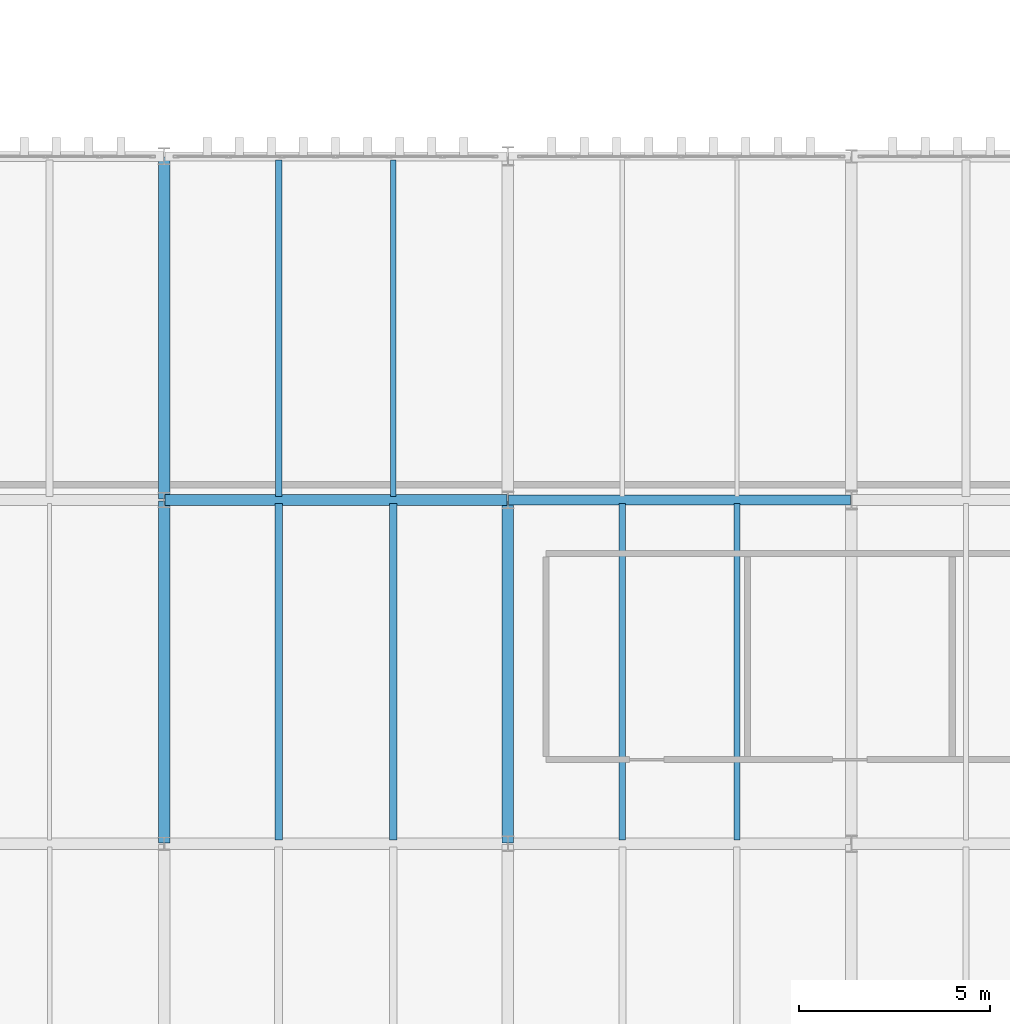
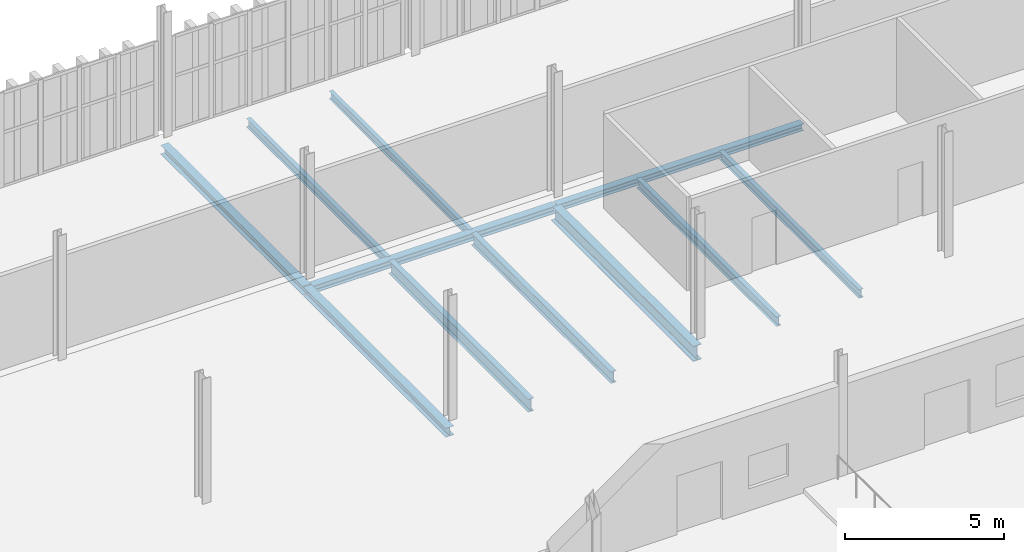
# One storey, part 116 of 196: 11 beams.
"""IFC4 building model written with IfcOpenShell, lengths in metres."""

import ifcopenshell
import ifcopenshell.guid

model = None  # the IFC model being written
_history = None  # IfcOwnerHistory: only IFC2X3 demands one
_inside = {}  # id of a spatial element -> (the spatial element, [elements in it])
_under = {}  # id of a project, library or spatial element -> (it, [spatial elements below it])
_declared = {}  # id of a project -> (the project, [libraries it declares])
_typed = {}  # id of a type object -> (the type object, [elements of that type])
_made_of = {}  # id of a material, layer set ... -> (it, [elements and type objects made of it])


def new_model(schema):
    """Start an empty IFC model of exactly this schema.

    Asked for "IFC4X3", IfcOpenShell would pick the latest addendum, in which some entities
    have other attributes; the version numbers below select the first issue.
    IFC2X3 requires an IfcOwnerHistory on every rooted entity: one is made here for all.
    """
    global model, _history
    if schema == "IFC4X3":
        model = ifcopenshell.file(schema_version=(4, 3, 0, 0))
    else:
        model = ifcopenshell.file(schema=schema)
    _inside.clear()
    _under.clear()
    _declared.clear()
    _typed.clear()
    _made_of.clear()
    _history = None
    if model.schema == "IFC2X3":
        org = make("IfcOrganization", Name="unknown")
        user = make(
            "IfcPersonAndOrganization",
            ThePerson=make("IfcPerson", FamilyName="unknown"),
            TheOrganization=org,
        )
        app = make(
            "IfcApplication",
            ApplicationDeveloper=org,
            Version="unknown",
            ApplicationFullName="unknown",
            ApplicationIdentifier="unknown",
        )
        _history = make(
            "IfcOwnerHistory",
            OwningUser=user,
            OwningApplication=app,
            ChangeAction="ADDED",
            CreationDate=0,
        )
    return model


def make(cls, **values):
    """One entity of the class cls with the attributes given. An attribute that is None is left unset."""
    return model.create_entity(
        cls, **{name: value for name, value in values.items() if value is not None}
    )


def rooted(cls, **values):
    """An entity with a GlobalId (a new one), such as an element, a storey or a relation."""
    return make(cls, GlobalId=ifcopenshell.guid.new(), OwnerHistory=_history, **values)


def si_unit(unit_type, name, prefix=None):
    """IfcSIUnit, for example si_unit("LENGTHUNIT", "METRE", prefix="MILLI")."""
    return make("IfcSIUnit", UnitType=unit_type, Prefix=prefix, Name=name)


def assignment(units):
    """IfcUnitAssignment: the units of a project."""
    return None if units is None else make("IfcUnitAssignment", Units=units)


def point(xyz):
    """IfcCartesianPoint."""
    return None if xyz is None else make("IfcCartesianPoint", Coordinates=xyz)


def direction(xyz):
    """IfcDirection."""
    return None if xyz is None else make("IfcDirection", DirectionRatios=xyz)


def frame(location, z_axis=None, x_axis=None):
    """IfcAxis2Placement3D, a coordinate frame: its origin and axes. An axis left out is left unset."""
    return make(
        "IfcAxis2Placement3D",
        Location=point(location),
        Axis=direction(z_axis),
        RefDirection=direction(x_axis),
    )


def frame_2d(location, x_axis=None):
    """IfcAxis2Placement2D, a coordinate frame in the plane: its origin and x axis."""
    return make(
        "IfcAxis2Placement2D", Location=point(location), RefDirection=direction(x_axis)
    )


def origin():
    """The frame at (0, 0, 0) with its axes left unset."""
    return frame((0.0, 0.0, 0.0))


def origin_2d():
    """The frame at (0, 0) in the plane with its x axis left unset."""
    return frame_2d((0.0, 0.0))


def place(relative_to, where):
    """IfcLocalPlacement: puts the frame where relative to a parent placement (None: the world)."""
    return make(
        "IfcLocalPlacement", PlacementRelTo=relative_to, RelativePlacement=where
    )


def context(
    kind, dimensions, precision=None, world=None, true_north=None, identifier=None
):
    """IfcGeometricRepresentationContext, for example the 3D "Model" context."""
    return make(
        "IfcGeometricRepresentationContext",
        ContextIdentifier=identifier,
        ContextType=kind,
        CoordinateSpaceDimension=dimensions,
        Precision=precision,
        WorldCoordinateSystem=world,
        TrueNorth=true_north,
    )


def subcontext(parent, identifier, kind, view, scale=None):
    """IfcGeometricRepresentationSubContext, for example "Body" below "Model"."""
    return make(
        "IfcGeometricRepresentationSubContext",
        ContextIdentifier=identifier,
        ContextType=kind,
        ParentContext=parent,
        TargetScale=scale,
        TargetView=view,
    )


def project(units=None, contexts=None):
    """IfcProject with its units and contexts."""
    return rooted(
        "IfcProject",
        Name="project",
        RepresentationContexts=contexts,
        UnitsInContext=assignment(units),
    )


def spatial(cls, under=None, at=None, **own):
    """A site, building, storey or space (cls), placed at a placement, below another one or the project."""
    s = rooted(cls, ObjectPlacement=at, **own)
    if under is not None:
        _under.setdefault(under.id(), (under, []))[1].append(s)
    return s


def profile(cls, at=None, kind="AREA", **sizes):
    """A parametric profile (cls). Its sizes go by their IFC names, for example OverallWidth=200.0."""
    return make(cls, ProfileType=kind, Position=at, **sizes)


def i_section(**sizes):
    """IfcIShapeProfileDef."""
    return profile("IfcIShapeProfileDef", **sizes)


def extrude(swept, where, along, depth):
    """IfcExtrudedAreaSolid: the profile swept, set in the frame where, extruded along a direction by depth."""
    return make(
        "IfcExtrudedAreaSolid",
        SweptArea=swept,
        Position=where,
        ExtrudedDirection=direction(along),
        Depth=depth,
    )


def shape(context_of_items, identifier, shape_type, items):
    """IfcShapeRepresentation: the items that make up one representation, for example the "Body"."""
    return make(
        "IfcShapeRepresentation",
        ContextOfItems=context_of_items,
        RepresentationIdentifier=identifier,
        RepresentationType=shape_type,
        Items=items,
    )


def material(Name=None, Category=None):
    """IfcMaterial."""
    return make("IfcMaterial", Name=Name, Category=Category)


def material_profile(
    of_material, cross_section, Name=None, Category=None, Priority=None
):
    """IfcMaterialProfile: a cross section and its material."""
    return make(
        "IfcMaterialProfile",
        Name=Name,
        Material=of_material,
        Profile=cross_section,
        Priority=Priority,
        Category=Category,
    )


def profile_set(profiles, Name=None, composite=None):
    """IfcMaterialProfileSet."""
    return make(
        "IfcMaterialProfileSet",
        Name=Name,
        MaterialProfiles=profiles,
        CompositeProfile=composite,
    )


def made_of(thing, what):
    """Note that an element or type object is made of a material, layer set ...; save() writes the relation."""
    if what is not None:
        _made_of.setdefault(what.id(), (what, []))[1].append(thing)
    return thing


def type_object(cls, material=None, **own):
    """A type object (cls), such as IfcWallType, which elements share."""
    return made_of(rooted(cls, **own), material)


def element(
    cls,
    number,
    at=None,
    inside=None,
    cuts=None,
    type_object=None,
    material=None,
    context=None,
    identifier="Body",
    shape_type=None,
    held_by="IfcProductDefinitionShape",
    body=None,
    shapes=None,
    **own,
):
    """One element of the class cls, such as IfcWall. Its Tag is "e" and its number.

    at: its placement. inside: the storey or other place that contains it. cuts: it is an
    opening in that element (IfcRelVoidsElement). A single representation is given by context,
    identifier, shape_type and body (its items); several are given by shapes. held_by: the class
    of the entity that holds the representations. save() writes the other relations.
    """
    e = rooted(cls, Tag="e%d" % number, ObjectPlacement=at, **own)
    if body is not None:
        shapes = [shape(context, identifier, shape_type, body)]
    if shapes is not None:
        e.Representation = make(held_by, Representations=shapes)
    if inside is not None:
        _inside.setdefault(inside.id(), (inside, []))[1].append(e)
    if cuts is not None:
        rooted(
            "IfcRelVoidsElement", RelatingBuildingElement=cuts, RelatedOpeningElement=e
        )
    if type_object is not None:
        _typed.setdefault(type_object.id(), (type_object, []))[1].append(e)
    return made_of(e, material)


def aggregate(whole, parts):
    """IfcRelAggregates: a whole, such as a stair, and the parts it consists of."""
    return rooted("IfcRelAggregates", RelatingObject=whole, RelatedObjects=parts)


def save(model, path):
    """Write the relations noted so far, then the file.

    IfcRelAggregates (storeys below a building ...), IfcRelContainedInSpatialStructure (elements
    in a storey), IfcRelDefinesByType, IfcRelAssociatesMaterial and IfcRelDeclares: one each for
    every whole, place, type object, material and project.
    """
    for whole, parts in _under.values():
        aggregate(whole, parts)
    for where, things in _inside.values():
        rooted(
            "IfcRelContainedInSpatialStructure",
            RelatedElements=things,
            RelatingStructure=where,
        )
    for kind, things in _typed.values():
        rooted("IfcRelDefinesByType", RelatedObjects=things, RelatingType=kind)
    for what, things in _made_of.values():
        rooted("IfcRelAssociatesMaterial", RelatedObjects=things, RelatingMaterial=what)
    for by, libraries in _declared.values():
        rooted("IfcRelDeclares", RelatingContext=by, RelatedDefinitions=libraries)
    model.write(path)


model = new_model("IFC4")

# Units and contexts
model_context = context("Model", 3, precision=1e-05, world=origin(), true_north=direction((0.0, 1.0)))
body_context = subcontext(model_context, "Body", "Model", "MODEL_VIEW")
ifc_project = project(units=[si_unit("LENGTHUNIT", "METRE"), si_unit("AREAUNIT", "SQUARE_METRE"), si_unit("VOLUMEUNIT", "CUBIC_METRE"), si_unit("PLANEANGLEUNIT", "RADIAN"), si_unit("MASSUNIT", "GRAM", prefix="KILO")], contexts=[model_context])

# Site, building, storey
site_placement = place(None, origin())
site = spatial("IfcSite", under=ifc_project, at=site_placement, CompositionType="ELEMENT")
building_placement = place(site_placement, origin())
building = spatial("IfcBuilding", under=site, at=building_placement, Name="Barlavento Convention Centre", CompositionType="ELEMENT")
storey_placement = place(building_placement, frame((0.0, 0.0, 18.0)))
storey = spatial("IfcBuildingStorey", under=building, at=storey_placement, Name="L03", CompositionType="ELEMENT", Elevation=18.0)

# Beams
ifc_material = material(Name="Steel S355", Category="steel")
ifc_material_profile_1 = material_profile(ifc_material, i_section(OverallWidth=0.14990234375, OverallDepth=0.300048828125, WebThickness=0.007080078125, FlangeThickness=0.0107421875, FilletRadius=0.014892578125, at=origin_2d()), Name="IPE 300")
ifc_profile_set_1 = profile_set([ifc_material_profile_1], Name="Steel S355")
beam_type_1 = type_object("IfcBeamType", Name="STR-BM-JST-IPE300", PredefinedType="JOIST", material=ifc_profile_set_1)
beam_1_placement = place(storey_placement, frame((150.0, 54.094970703125, -0.5400390625), z_axis=(0.0, 1.0, 0.0), x_axis=(-1.0, 0.0, 0.0)))
element("IfcBeam", 1, at=beam_1_placement, inside=storey, type_object=beam_type_1, Name="L03 composite floor joist SJ07", PredefinedType="JOIST", context=body_context, shape_type="SweptSolid", body=[
    extrude(i_section(OverallWidth=0.14990234375, OverallDepth=0.300048828125, WebThickness=0.007080078125, FlangeThickness=0.0107421875, FilletRadius=0.014892578125, at=origin_2d()), origin(), (0.0, 0.0, 1.0), 8.81005859375),
])
ifc_material_profile_2 = material_profile(ifc_material, i_section(OverallWidth=0.159912109375, OverallDepth=0.330078125, WebThickness=0.007568359375, FlangeThickness=0.011474609375, FilletRadius=0.01806640625, at=origin_2d()), Name="IPE 330")
ifc_profile_set_2 = profile_set([ifc_material_profile_2], Name="Steel S355")
beam_type_2 = type_object("IfcBeamType", Name="STR-BM-JST-IPE330", PredefinedType="JOIST", material=ifc_profile_set_2)
for number, where, z_axis, x_axis, name in (
    (2, (159.0, 45.094970703125, -0.554931640625), (0.0, 1.0, 0.0), (-1.0, 0.0, 0.0), "L03 composite floor joist SJ06"),
    (3, (147.0, 54.094970703125, -0.554931640625), (0.0, 1.0, 0.0), (-1.0, 0.0, 0.0), "L03 composite floor joist SJ06"),
):
    element("IfcBeam", number, at=place(storey_placement, frame(where, z_axis=z_axis, x_axis=x_axis)), inside=storey, type_object=beam_type_2, Name=name, PredefinedType="JOIST", context=body_context, shape_type="SweptSolid", body=[
        extrude(i_section(OverallWidth=0.159912109375, OverallDepth=0.330078125, WebThickness=0.007568359375, FlangeThickness=0.011474609375, FilletRadius=0.01806640625, at=origin_2d()), origin(), (0.0, 0.0, 1.0), 8.81005859375),
    ])
ifc_material_profile_3 = material_profile(ifc_material, i_section(OverallWidth=0.169921875, OverallDepth=0.360107421875, WebThickness=0.008056640625, FlangeThickness=0.0126953125, FilletRadius=0.01806640625, at=origin_2d()), Name="IPE 360")
ifc_profile_set_3 = profile_set([ifc_material_profile_3], Name="Steel S355")
beam_type_3 = type_object("IfcBeamType", Name="STR-BM-JST-IPE360", PredefinedType="JOIST", material=ifc_profile_set_3)
beam_2_placement = place(storey_placement, frame((156.0, 45.094970703125, -0.570068359375), z_axis=(0.0, 1.0, 0.0), x_axis=(-1.0, 0.0, 0.0)))
element("IfcBeam", 4, at=beam_2_placement, inside=storey, type_object=beam_type_3, Name="L03 composite floor joist SJ05", PredefinedType="JOIST", context=body_context, shape_type="SweptSolid", body=[
    extrude(i_section(OverallWidth=0.169921875, OverallDepth=0.360107421875, WebThickness=0.008056640625, FlangeThickness=0.0126953125, FilletRadius=0.01806640625, at=origin_2d()), origin(), (0.0, 0.0, 1.0), 8.81005859375),
])
ifc_material_profile_4 = material_profile(ifc_material, i_section(OverallWidth=0.18994140625, OverallDepth=0.449951171875, WebThickness=0.009521484375, FlangeThickness=0.0146484375, FilletRadius=0.02099609375, at=origin_2d()), Name="IPE 450")
ifc_profile_set_4 = profile_set([ifc_material_profile_4], Name="Steel S355")
beam_type_4 = type_object("IfcBeamType", Name="STR-BM-JST-IPE450", PredefinedType="JOIST", material=ifc_profile_set_4)
beam_3_placement = place(storey_placement, frame((150.0, 45.094970703125, -0.614990234375), z_axis=(0.0, 1.0, 0.0), x_axis=(-1.0, 0.0, 0.0)))
element("IfcBeam", 5, at=beam_3_placement, inside=storey, type_object=beam_type_4, Name="L03 composite floor joist SJ03", PredefinedType="JOIST", context=body_context, shape_type="SweptSolid", body=[
    extrude(i_section(OverallWidth=0.18994140625, OverallDepth=0.449951171875, WebThickness=0.009521484375, FlangeThickness=0.0146484375, FilletRadius=0.02099609375, at=origin_2d()), origin(), (0.0, 0.0, 1.0), 8.81005859375),
])
ifc_material_profile_5 = material_profile(ifc_material, i_section(OverallWidth=0.199951171875, OverallDepth=0.5, WebThickness=0.01025390625, FlangeThickness=0.01611328125, FilletRadius=0.02099609375, at=origin_2d()), Name="IPE 500")
ifc_profile_set_5 = profile_set([ifc_material_profile_5], Name="Steel S355")
beam_type_5 = type_object("IfcBeamType", Name="STR-BM-JST-IPE500", PredefinedType="JOIST", material=ifc_profile_set_5)
beam_4_placement = place(storey_placement, frame((147.0, 45.094970703125, -0.639892578125), z_axis=(0.0, 1.0, 0.0), x_axis=(-1.0, 0.0, 0.0)))
element("IfcBeam", 6, at=beam_4_placement, inside=storey, type_object=beam_type_5, Name="L03 composite floor joist SJ02", PredefinedType="JOIST", context=body_context, shape_type="SweptSolid", body=[
    extrude(i_section(OverallWidth=0.199951171875, OverallDepth=0.5, WebThickness=0.01025390625, FlangeThickness=0.01611328125, FilletRadius=0.02099609375, at=origin_2d()), origin(), (0.0, 0.0, 1.0), 8.81005859375),
])
ifc_material_profile_6 = material_profile(ifc_material, i_section(OverallWidth=0.300048828125, OverallDepth=0.35009765625, WebThickness=0.010009765625, FlangeThickness=0.017578125, FilletRadius=0.027099609375, at=origin_2d()), Name="HEA 360")
ifc_profile_set_6 = profile_set([ifc_material_profile_6], Name="Steel S355")
beam_type_6 = type_object("IfcBeamType", Name="STR-BM-PRI-HEA360", PredefinedType="BEAM", material=ifc_profile_set_6)
for number, where, z_axis, x_axis, name in (
    (7, (144.0, 45.02001953125, -0.56494140625), (0.0, 1.0, 0.0), (-1.0, 0.0, 0.0), "L03 grid girder BG23"),
    (8, (144.0, 54.02001953125, -0.56494140625), (0.0, 1.0, 0.0), (-1.0, 0.0, 0.0), "L03 grid girder BG23"),
):
    element("IfcBeam", number, at=place(storey_placement, frame(where, z_axis=z_axis, x_axis=x_axis)), inside=storey, type_object=beam_type_6, Name=name, PredefinedType="BEAM", context=body_context, shape_type="SweptSolid", body=[
        extrude(i_section(OverallWidth=0.300048828125, OverallDepth=0.35009765625, WebThickness=0.010009765625, FlangeThickness=0.017578125, FilletRadius=0.027099609375, at=origin_2d()), origin(), (0.0, 0.0, 1.0), 8.9599609375),
    ])
ifc_material_profile_7 = material_profile(ifc_material, i_section(OverallWidth=0.300048828125, OverallDepth=0.590087890625, WebThickness=0.012939453125, FlangeThickness=0.02490234375, FilletRadius=0.027099609375, at=origin_2d()), Name="HEA 600")
ifc_profile_set_7 = profile_set([ifc_material_profile_7], Name="Steel S355")
beam_type_7 = type_object("IfcBeamType", Name="STR-BM-PRI-HEA600", PredefinedType="BEAM", material=ifc_profile_set_7)
beam_5_placement = place(storey_placement, frame((153.0, 45.02001953125, -0.68505859375), z_axis=(0.0, 1.0, 0.0), x_axis=(-1.0, 0.0, 0.0)))
element("IfcBeam", 9, at=beam_5_placement, inside=storey, type_object=beam_type_7, Name="L03 grid girder BG18", PredefinedType="BEAM", context=body_context, shape_type="SweptSolid", body=[
    extrude(i_section(OverallWidth=0.300048828125, OverallDepth=0.590087890625, WebThickness=0.012939453125, FlangeThickness=0.02490234375, FilletRadius=0.027099609375, at=origin_2d()), origin(), (0.0, 0.0, 1.0), 8.9599609375),
])
ifc_material_profile_8 = material_profile(ifc_material, i_section(OverallWidth=0.260009765625, OverallDepth=0.260009765625, WebThickness=0.010009765625, FlangeThickness=0.017578125, FilletRadius=0.02392578125, at=origin_2d()), Name="HEB 260")
ifc_profile_set_8 = profile_set([ifc_material_profile_8], Name="Steel S355")
beam_type_8 = type_object("IfcBeamType", Name="STR-BM-PRI-HEB260", PredefinedType="BEAM", material=ifc_profile_set_8)
beam_6_placement = place(storey_placement, frame((153.02001953125, 54.0, -0.52001953125), z_axis=(1.0, 0.0, 0.0), x_axis=(0.0, 1.0, 0.0)))
element("IfcBeam", 10, at=beam_6_placement, inside=storey, type_object=beam_type_8, Name="L03 primary girder BG16", PredefinedType="BEAM", context=body_context, shape_type="SweptSolid", body=[
    extrude(i_section(OverallWidth=0.260009765625, OverallDepth=0.260009765625, WebThickness=0.010009765625, FlangeThickness=0.017578125, FilletRadius=0.02392578125, at=origin_2d()), origin(), (0.0, 0.0, 1.0), 8.9599609375),
])
ifc_material_profile_9 = material_profile(ifc_material, i_section(OverallWidth=0.280029296875, OverallDepth=0.280029296875, WebThickness=0.010498046875, FlangeThickness=0.01806640625, FilletRadius=0.02392578125, at=origin_2d()), Name="HEB 280")
ifc_profile_set_9 = profile_set([ifc_material_profile_9], Name="Steel S355")
beam_type_9 = type_object("IfcBeamType", Name="STR-BM-PRI-HEB280", PredefinedType="BEAM", material=ifc_profile_set_9)
beam_7_placement = place(storey_placement, frame((144.02001953125, 54.0, -0.530029296875), z_axis=(1.0, 0.0, 0.0), x_axis=(0.0, 1.0, 0.0)))
element("IfcBeam", 11, at=beam_7_placement, inside=storey, type_object=beam_type_9, Name="L03 primary girder BG15", PredefinedType="BEAM", context=body_context, shape_type="SweptSolid", body=[
    extrude(i_section(OverallWidth=0.280029296875, OverallDepth=0.280029296875, WebThickness=0.010498046875, FlangeThickness=0.01806640625, FilletRadius=0.02392578125, at=origin_2d()), origin(), (0.0, 0.0, 1.0), 8.9599609375),
])

save(model, "model.ifc")
